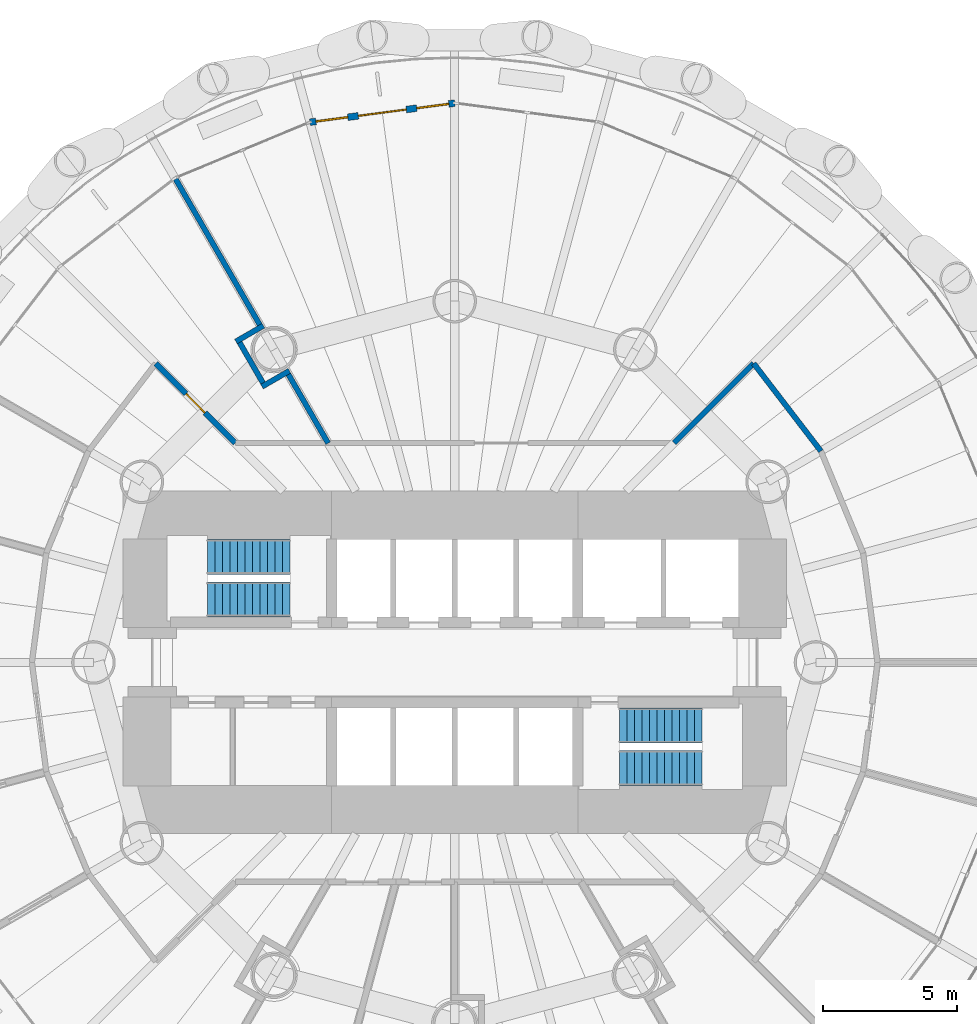
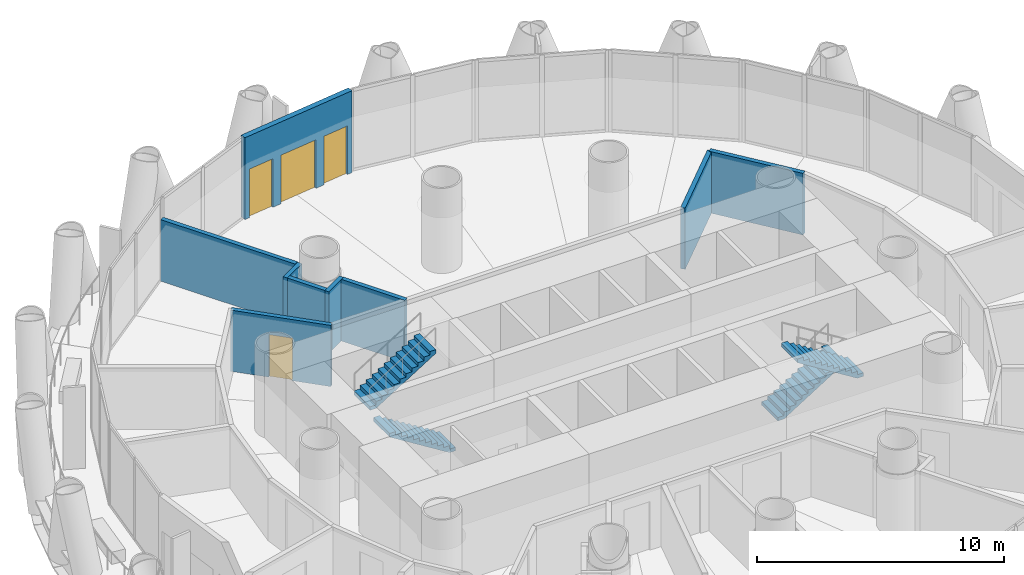
# One storey, part 12 of 15: 9 walls, 4 stair flights, 2 doors, 2 windows, 4 openings, 2 elements without a shape of their own.
"""IFC4 building model written with IfcOpenShell, lengths in metres."""

import ifcopenshell
import ifcopenshell.guid

model = None  # the IFC model being written
_history = None  # IfcOwnerHistory: only IFC2X3 demands one
_inside = {}  # id of a spatial element -> (the spatial element, [elements in it])
_under = {}  # id of a project, library or spatial element -> (it, [spatial elements below it])
_declared = {}  # id of a project -> (the project, [libraries it declares])
_typed = {}  # id of a type object -> (the type object, [elements of that type])
_made_of = {}  # id of a material, layer set ... -> (it, [elements and type objects made of it])


def new_model(schema):
    """Start an empty IFC model of exactly this schema.

    Asked for "IFC4X3", IfcOpenShell would pick the latest addendum, in which some entities
    have other attributes; the version numbers below select the first issue.
    IFC2X3 requires an IfcOwnerHistory on every rooted entity: one is made here for all.
    """
    global model, _history
    if schema == "IFC4X3":
        model = ifcopenshell.file(schema_version=(4, 3, 0, 0))
    else:
        model = ifcopenshell.file(schema=schema)
    _inside.clear()
    _under.clear()
    _declared.clear()
    _typed.clear()
    _made_of.clear()
    _history = None
    if model.schema == "IFC2X3":
        org = make("IfcOrganization", Name="unknown")
        user = make(
            "IfcPersonAndOrganization",
            ThePerson=make("IfcPerson", FamilyName="unknown"),
            TheOrganization=org,
        )
        app = make(
            "IfcApplication",
            ApplicationDeveloper=org,
            Version="unknown",
            ApplicationFullName="unknown",
            ApplicationIdentifier="unknown",
        )
        _history = make(
            "IfcOwnerHistory",
            OwningUser=user,
            OwningApplication=app,
            ChangeAction="ADDED",
            CreationDate=0,
        )
    return model


def make(cls, **values):
    """One entity of the class cls with the attributes given. An attribute that is None is left unset."""
    return model.create_entity(
        cls, **{name: value for name, value in values.items() if value is not None}
    )


def rooted(cls, **values):
    """An entity with a GlobalId (a new one), such as an element, a storey or a relation."""
    return make(cls, GlobalId=ifcopenshell.guid.new(), OwnerHistory=_history, **values)


def si_unit(unit_type, name, prefix=None):
    """IfcSIUnit, for example si_unit("LENGTHUNIT", "METRE", prefix="MILLI")."""
    return make("IfcSIUnit", UnitType=unit_type, Prefix=prefix, Name=name)


def assignment(units):
    """IfcUnitAssignment: the units of a project."""
    return None if units is None else make("IfcUnitAssignment", Units=units)


def point(xyz):
    """IfcCartesianPoint."""
    return None if xyz is None else make("IfcCartesianPoint", Coordinates=xyz)


def direction(xyz):
    """IfcDirection."""
    return None if xyz is None else make("IfcDirection", DirectionRatios=xyz)


def frame(location, z_axis=None, x_axis=None):
    """IfcAxis2Placement3D, a coordinate frame: its origin and axes. An axis left out is left unset."""
    return make(
        "IfcAxis2Placement3D",
        Location=point(location),
        Axis=direction(z_axis),
        RefDirection=direction(x_axis),
    )


def frame_2d(location, x_axis=None):
    """IfcAxis2Placement2D, a coordinate frame in the plane: its origin and x axis."""
    return make(
        "IfcAxis2Placement2D", Location=point(location), RefDirection=direction(x_axis)
    )


def origin():
    """The frame at (0, 0, 0) with its axes left unset."""
    return frame((0.0, 0.0, 0.0))


def place(relative_to, where):
    """IfcLocalPlacement: puts the frame where relative to a parent placement (None: the world)."""
    return make(
        "IfcLocalPlacement", PlacementRelTo=relative_to, RelativePlacement=where
    )


def context(
    kind, dimensions, precision=None, world=None, true_north=None, identifier=None
):
    """IfcGeometricRepresentationContext, for example the 3D "Model" context."""
    return make(
        "IfcGeometricRepresentationContext",
        ContextIdentifier=identifier,
        ContextType=kind,
        CoordinateSpaceDimension=dimensions,
        Precision=precision,
        WorldCoordinateSystem=world,
        TrueNorth=true_north,
    )


def subcontext(parent, identifier, kind, view, scale=None):
    """IfcGeometricRepresentationSubContext, for example "Body" below "Model"."""
    return make(
        "IfcGeometricRepresentationSubContext",
        ContextIdentifier=identifier,
        ContextType=kind,
        ParentContext=parent,
        TargetScale=scale,
        TargetView=view,
    )


def project(units=None, contexts=None):
    """IfcProject with its units and contexts."""
    return rooted(
        "IfcProject",
        Name="project",
        RepresentationContexts=contexts,
        UnitsInContext=assignment(units),
    )


def spatial(cls, under=None, at=None, **own):
    """A site, building, storey or space (cls), placed at a placement, below another one or the project."""
    s = rooted(cls, ObjectPlacement=at, **own)
    if under is not None:
        _under.setdefault(under.id(), (under, []))[1].append(s)
    return s


def polyline(points):
    """IfcPolyline through the points."""
    return make("IfcPolyline", Points=[point(p) for p in points])


def profile(cls, at=None, kind="AREA", **sizes):
    """A parametric profile (cls). Its sizes go by their IFC names, for example OverallWidth=200.0."""
    return make(cls, ProfileType=kind, Position=at, **sizes)


def rectangle(**sizes):
    """IfcRectangleProfileDef."""
    return profile("IfcRectangleProfileDef", **sizes)


def outline(outer, holes=None, kind="AREA"):
    """IfcArbitraryClosedProfileDef: a profile drawn as a closed curve; with holes, ...WithVoids."""
    if holes is None:
        return make("IfcArbitraryClosedProfileDef", ProfileType=kind, OuterCurve=outer)
    return make(
        "IfcArbitraryProfileDefWithVoids",
        ProfileType=kind,
        OuterCurve=outer,
        InnerCurves=holes,
    )


def extrude(swept, where, along, depth):
    """IfcExtrudedAreaSolid: the profile swept, set in the frame where, extruded along a direction by depth."""
    return make(
        "IfcExtrudedAreaSolid",
        SweptArea=swept,
        Position=where,
        ExtrudedDirection=direction(along),
        Depth=depth,
    )


def shape(context_of_items, identifier, shape_type, items):
    """IfcShapeRepresentation: the items that make up one representation, for example the "Body"."""
    return make(
        "IfcShapeRepresentation",
        ContextOfItems=context_of_items,
        RepresentationIdentifier=identifier,
        RepresentationType=shape_type,
        Items=items,
    )


def material(Name=None, Category=None):
    """IfcMaterial."""
    return make("IfcMaterial", Name=Name, Category=Category)


def layer(
    of_material, thickness, ventilated=None, Name=None, Category=None, Priority=None
):
    """IfcMaterialLayer: one layer of a wall or slab, of a material (None: an air gap)."""
    return make(
        "IfcMaterialLayer",
        Material=of_material,
        LayerThickness=thickness,
        IsVentilated=ventilated,
        Name=Name,
        Category=Category,
        Priority=Priority,
    )


def layer_set(layers, Name=None):
    """IfcMaterialLayerSet."""
    return make("IfcMaterialLayerSet", MaterialLayers=layers, LayerSetName=Name)


def made_of(thing, what):
    """Note that an element or type object is made of a material, layer set ...; save() writes the relation."""
    if what is not None:
        _made_of.setdefault(what.id(), (what, []))[1].append(thing)
    return thing


def type_object(cls, material=None, **own):
    """A type object (cls), such as IfcWallType, which elements share."""
    return made_of(rooted(cls, **own), material)


def element(
    cls,
    number,
    at=None,
    inside=None,
    cuts=None,
    type_object=None,
    material=None,
    context=None,
    identifier="Body",
    shape_type=None,
    held_by="IfcProductDefinitionShape",
    body=None,
    shapes=None,
    **own,
):
    """One element of the class cls, such as IfcWall. Its Tag is "e" and its number.

    at: its placement. inside: the storey or other place that contains it. cuts: it is an
    opening in that element (IfcRelVoidsElement). A single representation is given by context,
    identifier, shape_type and body (its items); several are given by shapes. held_by: the class
    of the entity that holds the representations. save() writes the other relations.
    """
    e = rooted(cls, Tag="e%d" % number, ObjectPlacement=at, **own)
    if body is not None:
        shapes = [shape(context, identifier, shape_type, body)]
    if shapes is not None:
        e.Representation = make(held_by, Representations=shapes)
    if inside is not None:
        _inside.setdefault(inside.id(), (inside, []))[1].append(e)
    if cuts is not None:
        rooted(
            "IfcRelVoidsElement", RelatingBuildingElement=cuts, RelatedOpeningElement=e
        )
    if type_object is not None:
        _typed.setdefault(type_object.id(), (type_object, []))[1].append(e)
    return made_of(e, material)


def fill(opening, filler):
    """IfcRelFillsElement: the door or window that sits in an opening."""
    return rooted(
        "IfcRelFillsElement",
        RelatingOpeningElement=opening,
        RelatedBuildingElement=filler,
    )


def aggregate(whole, parts):
    """IfcRelAggregates: a whole, such as a stair, and the parts it consists of."""
    return rooted("IfcRelAggregates", RelatingObject=whole, RelatedObjects=parts)


def save(model, path):
    """Write the relations noted so far, then the file.

    IfcRelAggregates (storeys below a building ...), IfcRelContainedInSpatialStructure (elements
    in a storey), IfcRelDefinesByType, IfcRelAssociatesMaterial and IfcRelDeclares: one each for
    every whole, place, type object, material and project.
    """
    for whole, parts in _under.values():
        aggregate(whole, parts)
    for where, things in _inside.values():
        rooted(
            "IfcRelContainedInSpatialStructure",
            RelatedElements=things,
            RelatingStructure=where,
        )
    for kind, things in _typed.values():
        rooted("IfcRelDefinesByType", RelatedObjects=things, RelatingType=kind)
    for what, things in _made_of.values():
        rooted("IfcRelAssociatesMaterial", RelatedObjects=things, RelatingMaterial=what)
    for by, libraries in _declared.values():
        rooted("IfcRelDeclares", RelatingContext=by, RelatedDefinitions=libraries)
    model.write(path)


model = new_model("IFC4")

# Units and contexts
model_context = context("Model", 3, precision=1e-05, world=origin(), true_north=direction((0.0, 1.0)))
body_context = subcontext(model_context, "Body", "Model", "MODEL_VIEW")
ifc_project = project(units=[si_unit("LENGTHUNIT", "METRE"), si_unit("AREAUNIT", "SQUARE_METRE"), si_unit("VOLUMEUNIT", "CUBIC_METRE"), si_unit("PLANEANGLEUNIT", "RADIAN"), si_unit("MASSUNIT", "GRAM", prefix="KILO")], contexts=[model_context])

# Site, building, storey
site_placement = place(None, origin())
site = spatial("IfcSite", under=ifc_project, at=site_placement, CompositionType="ELEMENT")
building_placement = place(site_placement, origin())
building = spatial("IfcBuilding", under=site, at=building_placement, Name="Qaws Media Tower", CompositionType="ELEMENT")
storey_placement = place(building_placement, frame((0.0, 0.0, 30.199951171875)))
storey = spatial("IfcBuildingStorey", under=building, at=storey_placement, Name="L05", CompositionType="ELEMENT", Elevation=30.199951171875)

# Wall, openings, door, windows
ifc_material_1 = material(Name="Precast concrete, exposed finish", Category="concrete")
ifc_layer_1 = layer(ifc_material_1, 0.25)
ifc_layer_set_1 = layer_set([ifc_layer_1], Name="Balcony door wall 250")
wall_type_1 = type_object("IfcWallType", Name="Balcony door wall 250", PredefinedType="SOLIDWALL", material=ifc_layer_set_1)
wall_1_placement = place(storey_placement, frame((60.0, 70.89990234375, 0.0), z_axis=(0.0, 0.0, 1.0), x_axis=(-0.991445002601, -0.130525119492, 0.0)))
wall_1 = element("IfcWall", 1, at=wall_1_placement, inside=storey, type_object=wall_type_1, Name="W111 EW1 balcony door wall L05-07", PredefinedType="SOLIDWALL", context=body_context, shape_type="SweptSolid", body=[
    extrude(rectangle(XDim=5.4560546875, YDim=0.25, at=frame_2d((2.72802734375, 0.0))), origin(), (0.0, 0.0, 1.0), 4.0400390625),
])
opening_1_placement = place(wall_1_placement, frame((1.827880859375, 0.0, 0.0)))
opening_1 = element("IfcOpeningElement", 2, at=opening_1_placement, cuts=wall_1, Name="Opening D7", PredefinedType="OPENING", context=body_context, shape_type="SweptSolid", body=[
    extrude(rectangle(XDim=1.800048828125, YDim=2.39990234375, at=frame_2d((0.89990234375, 1.199951171875))), frame((0.0, 0.135009765625, 0.0), z_axis=(0.0, -1.0, 0.0), x_axis=(1.0, 0.0, 0.0)), (0.0, 0.0, 1.0), 0.27001953125),
])
opening_2_placement = place(wall_1_placement, frame((0.22802734375, 0.0, 0.0)))
opening_2 = element("IfcOpeningElement", 3, at=opening_2_placement, cuts=wall_1, Name="Opening W1", PredefinedType="OPENING", context=body_context, shape_type="SweptSolid", body=[
    extrude(rectangle(XDim=1.199951171875, YDim=2.39990234375, at=frame_2d((0.60009765625, 1.199951171875))), frame((0.0, 0.135009765625, 0.0), z_axis=(0.0, -1.0, 0.0), x_axis=(1.0, 0.0, 0.0)), (0.0, 0.0, 1.0), 0.27001953125),
])
opening_3_placement = place(wall_1_placement, frame((4.028076171875, 0.0, 0.0)))
opening_3 = element("IfcOpeningElement", 4, at=opening_3_placement, cuts=wall_1, Name="Opening W1", PredefinedType="OPENING", context=body_context, shape_type="SweptSolid", body=[
    extrude(rectangle(XDim=1.199951171875, YDim=2.39990234375, at=frame_2d((0.60009765625, 1.199951171875))), frame((0.0, 0.135009765625, 0.0), z_axis=(0.0, -1.0, 0.0), x_axis=(1.0, 0.0, 0.0)), (0.0, 0.0, 1.0), 0.27001953125),
])
ifc_material_2 = material(Name="Aluminium and clear glass", Category="aluminium")
door_type_1 = type_object("IfcDoorType", Name="Balcony door pair 1800", OperationType="DOUBLE_DOOR_SLIDING", PredefinedType="DOOR", material=ifc_material_2)
door_1_placement = place(opening_1_placement, origin())
door_1 = element("IfcDoor", 5, at=door_1_placement, inside=storey, type_object=door_type_1, Name="D7 balcony door L05-07 in wall W111", OperationType="DOUBLE_DOOR_SLIDING", OverallHeight=2.39990234375, OverallWidth=1.800048828125, PredefinedType="DOOR", context=body_context, shape_type="SweptSolid", body=[
    extrude(rectangle(XDim=1.800048828125, YDim=2.39990234375, at=frame_2d((0.89990234375, 1.199951171875))), frame((0.0, 0.02490234375, 0.0), z_axis=(0.0, -1.0, 0.0), x_axis=(1.0, 0.0, 0.0)), (0.0, 0.0, 1.0), 0.050048828125),
])
fill(opening_1, door_1)
ifc_material_3 = material(Name="Aluminium and clear glass", Category="aluminium")
window_type = type_object("IfcWindowType", Name="Balcony side window 1200", PartitioningType="SINGLE_PANEL", PredefinedType="WINDOW", material=ifc_material_3)
window_1_placement = place(opening_2_placement, origin())
window_1 = element("IfcWindow", 6, at=window_1_placement, inside=storey, type_object=window_type, Name="W1 balcony side light L05-07L", OverallHeight=2.39990234375, OverallWidth=1.199951171875, PartitioningType="SINGLE_PANEL", PredefinedType="WINDOW", context=body_context, shape_type="SweptSolid", body=[
    extrude(rectangle(XDim=1.199951171875, YDim=2.39990234375, at=frame_2d((0.60009765625, 1.199951171875))), frame((0.0, 0.030029296875, 0.0), z_axis=(0.0, -1.0, 0.0), x_axis=(1.0, 0.0, 0.0)), (0.0, 0.0, 1.0), 0.06005859375),
])
fill(opening_2, window_1)
window_2_placement = place(opening_3_placement, origin())
window_2 = element("IfcWindow", 7, at=window_2_placement, inside=storey, type_object=window_type, Name="W1 balcony side light L05-07R", OverallHeight=2.39990234375, OverallWidth=1.199951171875, PartitioningType="SINGLE_PANEL", PredefinedType="WINDOW", context=body_context, shape_type="SweptSolid", body=[
    extrude(rectangle(XDim=1.199951171875, YDim=2.39990234375, at=frame_2d((0.60009765625, 1.199951171875))), frame((0.0, 0.030029296875, 0.0), z_axis=(0.0, -1.0, 0.0), x_axis=(1.0, 0.0, 0.0)), (0.0, 0.0, 1.0), 0.06005859375),
])
fill(opening_3, window_2)

# Wall, opening, door
ifc_material_4 = material(Name="Gypsum board on galvanised metal studs, acoustic double stud, deflection head", Category="gypsum")
ifc_layer_2 = layer(ifc_material_4, 0.199951171875)
ifc_layer_set_2 = layer_set([ifc_layer_2], Name="Room partition 200")
wall_type_2 = type_object("IfcWallType", Name="Room partition 200", PredefinedType="PARTITIONING", material=ifc_layer_set_2)
wall_2_placement = place(storey_placement, frame((48.82763671875, 61.17236328125, 0.0), z_axis=(0.0, 0.0, 1.0), x_axis=(0.707106781187, -0.707106781187, 0.0)))
wall_2 = element("IfcWall", 8, at=wall_2_placement, inside=storey, type_object=wall_type_2, Name="W961 IW3 partition L05", PredefinedType="PARTITIONING", context=body_context, shape_type="SweptSolid", body=[
    extrude(rectangle(XDim=4.20361328125, YDim=0.199951171875, at=frame_2d((2.101806640625, 0.0))), origin(), (0.0, 0.0, 1.0), 3.02001953125),
])
opening_4_placement = place(wall_2_placement, frame((1.601806640625, 0.0, 0.0)))
opening_4 = element("IfcOpeningElement", 9, at=opening_4_placement, cuts=wall_2, Name="Opening D5", PredefinedType="OPENING", context=body_context, shape_type="SweptSolid", body=[
    extrude(rectangle(XDim=1.0, YDim=2.10009765625, at=frame_2d((0.5, 1.050048828125))), frame((0.0, 0.10986328125, 0.0), z_axis=(0.0, -1.0, 0.0), x_axis=(1.0, 0.0, 0.0)), (0.0, 0.0, 1.0), 0.219970703125),
])
ifc_material_5 = material(Name="Timber veneered, acoustic seal", Category="wood")
door_type_2 = type_object("IfcDoorType", Name="Room door 1000", OperationType="SINGLE_SWING_LEFT", PredefinedType="DOOR", material=ifc_material_5)
door_2_placement = place(opening_4_placement, origin())
door_2 = element("IfcDoor", 10, at=door_2_placement, inside=storey, type_object=door_type_2, Name="D5 Green room door L05 in wall W961", OperationType="SINGLE_SWING_LEFT", OverallHeight=2.10009765625, OverallWidth=1.0, PredefinedType="DOOR", context=body_context, shape_type="SweptSolid", body=[
    extrude(rectangle(XDim=1.0, YDim=2.10009765625, at=frame_2d((0.5, 1.050048828125))), frame((0.0, 0.02490234375, 0.0), z_axis=(0.0, -1.0, 0.0), x_axis=(1.0, 0.0, 0.0)), (0.0, 0.0, 1.0), 0.050048828125),
])
fill(opening_4, door_2)

# Walls
wall_3_placement = place(storey_placement, frame((68.199951171875, 58.199951171875, 0.0), z_axis=(0.0, 0.0, 1.0), x_axis=(0.707106781187, 0.707106781187, 0.0)))
element("IfcWall", 11, at=wall_3_placement, inside=storey, type_object=wall_type_2, Name="W975 IW3 partition L05", PredefinedType="PARTITIONING", context=body_context, shape_type="SweptSolid", body=[
    extrude(rectangle(XDim=4.20361328125, YDim=0.199951171875, at=frame_2d((2.101806640625, 0.0))), origin(), (0.0, 0.0, 1.0), 3.02001953125),
])
wall_4_placement = place(storey_placement, frame((71.17236328125, 61.17236328125, 0.0), z_axis=(0.0, 0.0, 1.0), x_axis=(0.608714823874, -0.793389099494, 0.0)))
element("IfcWall", 12, at=wall_4_placement, inside=storey, type_object=wall_type_2, Name="W953 IW3 partition L05", PredefinedType="PARTITIONING", context=body_context, shape_type="SweptSolid", body=[
    extrude(rectangle(XDim=4.124755859375, YDim=0.199951171875, at=frame_2d((2.0625, 0.0))), origin(), (0.0, 0.0, 1.0), 3.0400390625),
])
for number, where, z_axis, x_axis, name in (
    (13, (53.822998046875, 60.898681640625, 0.0), (0.0, 0.0, 1.0), (-0.865986234303, -0.500067837396, 0.0), "W967 IW3 partition return L05"),
    (14, (52.85009765625, 62.583984375, 0.0), (0.0, 0.0, 1.0), (-0.865986234303, -0.500067837396, 0.0), "W966 IW3 partition return L05"),
):
    element("IfcWall", number, at=place(storey_placement, frame(where, z_axis=z_axis, x_axis=x_axis)), inside=storey, type_object=wall_type_2, Name=name, PredefinedType="PARTITIONING", context=body_context, shape_type="SweptSolid", body=[
        extrude(rectangle(XDim=1.182861328125, YDim=0.199951171875, at=frame_2d((0.59130859375, 0.0))), origin(), (0.0, 0.0, 1.0), 3.02001953125),
    ])
wall_5_placement = place(storey_placement, frame((52.835205078125, 60.44384765625, 0.0), z_axis=(0.0, 0.0, 1.0), x_axis=(-0.500049268192, 0.865996956912, 0.0)))
element("IfcWall", 15, at=wall_5_placement, inside=storey, type_object=wall_type_2, Name="W965 IW3 partition return L05", PredefinedType="PARTITIONING", context=body_context, shape_type="SweptSolid", body=[
    extrude(rectangle(XDim=1.745849609375, YDim=0.199951171875, at=frame_2d((0.873046875, 0.0))), origin(), (0.0, 0.0, 1.0), 3.02001953125),
])
wall_6_placement = place(storey_placement, frame((55.27001953125, 58.192626953125, 0.0), z_axis=(0.0, 0.0, 1.0), x_axis=(-0.499962256537, 0.866047193886, 0.0)))
element("IfcWall", 16, at=wall_6_placement, inside=storey, type_object=wall_type_2, Name="W970 IW3 partition L05", PredefinedType="PARTITIONING", context=body_context, shape_type="SweptSolid", body=[
    extrude(rectangle(XDim=2.967041015625, YDim=0.199951171875, at=frame_2d((1.4833984375, 0.0))), origin(), (0.0, 0.0, 1.0), 3.0400390625),
])
wall_7_placement = place(storey_placement, frame((52.71337890625, 62.62060546875, 0.0), z_axis=(0.0, 0.0, 1.0), x_axis=(-0.499985776458, 0.866033615595, 0.0)))
element("IfcWall", 17, at=wall_7_placement, inside=storey, type_object=wall_type_2, Name="W964 IW3 partition L05", PredefinedType="PARTITIONING", context=body_context, shape_type="SweptSolid", body=[
    extrude(rectangle(XDim=6.286865234375, YDim=0.199951171875, at=frame_2d((3.1435546875, 0.0))), origin(), (0.0, 0.0, 1.0), 3.0400390625),
])

# Stair, stair flights
ifc_material_6 = material(Name="Concrete C40/50", Category="concrete")
stair_type = type_object("IfcStairType", Name="Exit stair", PredefinedType="HALF_TURN_STAIR", material=ifc_material_6)
stair_1_placement = place(storey_placement, origin())
stair_1 = element("IfcStair", 18, at=stair_1_placement, inside=storey, type_object=stair_type, Name="S1 exit stair L05", PredefinedType="HALF_TURN_STAIR")
ifc_material_7 = material(Name="Concrete C40/50", Category="concrete")
stair_flight_type = type_object("IfcStairFlightType", Name="Stair flight 1310", PredefinedType="STRAIGHT", material=ifc_material_7)
stair_flight_1_placement = place(storey_placement, frame((53.840087890625, 52.35498046875, 0.0), z_axis=(0.0, 0.0, 1.0), x_axis=(-1.0, 0.0, 0.0)))
stair_flight_1 = element("IfcStairFlight", 19, at=stair_flight_1_placement, type_object=stair_flight_type, Name="S1 flight 1", NumberOfRisers=12, NumberOfTreads=11, PredefinedType="STRAIGHT", RiserHeight=0.175, TreadLength=0.28, context=body_context, shape_type="SweptSolid", body=[
    extrude(outline(polyline([(0.0, 0.0), (0.0, 0.175048828125), (0.280029296875, 0.175048828125), (0.280029296875, 0.35009765625), (0.56005859375, 0.35009765625), (0.56005859375, 0.52490234375), (0.840087890625, 0.52490234375), (0.840087890625, 0.699951171875), (1.1201171875, 0.699951171875), (1.1201171875, 0.875), (1.39990234375, 0.875), (1.39990234375, 1.050048828125), (1.679931640625, 1.050048828125), (1.679931640625, 1.22509765625), (1.9599609375, 1.22509765625), (1.9599609375, 1.39990234375), (2.239990234375, 1.39990234375), (2.239990234375, 1.574951171875), (2.52001953125, 1.574951171875), (2.52001953125, 1.75), (2.800048828125, 1.75), (2.800048828125, 1.925048828125), (3.080078125, 1.925048828125), (3.080078125, 2.10009765625), (3.080078125, 1.748291015625), (0.28271484375, 0.0), (0.0, 0.0)])), frame((0.0, 0.655029296875, 0.0), z_axis=(0.0, -1.0, 0.0), x_axis=(1.0, 0.0, 0.0)), (0.0, 0.0, 1.0), 1.31005859375),
])
stair_flight_2_placement = place(storey_placement, frame((50.760009765625, 53.945068359375, 2.10009765625), z_axis=(0.0, 0.0, 1.0), x_axis=(1.0, 0.0, 0.0)))
stair_flight_2 = element("IfcStairFlight", 20, at=stair_flight_2_placement, type_object=stair_flight_type, Name="S1 flight 2", NumberOfRisers=12, NumberOfTreads=11, PredefinedType="STRAIGHT", RiserHeight=0.175, TreadLength=0.28, context=body_context, shape_type="SweptSolid", body=[
    extrude(outline(polyline([(0.0, 0.0), (0.0, 0.175048828125), (0.280029296875, 0.175048828125), (0.280029296875, 0.35009765625), (0.56005859375, 0.35009765625), (0.56005859375, 0.52490234375), (0.840087890625, 0.52490234375), (0.840087890625, 0.699951171875), (1.1201171875, 0.699951171875), (1.1201171875, 0.875), (1.39990234375, 0.875), (1.39990234375, 1.050048828125), (1.679931640625, 1.050048828125), (1.679931640625, 1.22509765625), (1.9599609375, 1.22509765625), (1.9599609375, 1.39990234375), (2.239990234375, 1.39990234375), (2.239990234375, 1.574951171875), (2.52001953125, 1.574951171875), (2.52001953125, 1.75), (2.800048828125, 1.75), (2.800048828125, 1.925048828125), (3.080078125, 1.925048828125), (3.080078125, 2.10009765625), (3.080078125, 1.748291015625), (0.28271484375, 0.0), (0.0, 0.0)])), frame((0.0, 0.655029296875, 0.0), z_axis=(0.0, -1.0, 0.0), x_axis=(1.0, 0.0, 0.0)), (0.0, 0.0, 1.0), 1.31005859375),
])
aggregate(stair_1, [stair_flight_1, stair_flight_2])

stair_2_placement = place(storey_placement, origin())
stair_2 = element("IfcStair", 21, at=stair_2_placement, inside=storey, type_object=stair_type, Name="S2 exit stair L05", PredefinedType="HALF_TURN_STAIR")
stair_flight_3_placement = place(storey_placement, frame((66.159912109375, 47.64501953125, 0.0), z_axis=(0.0, 0.0, 1.0), x_axis=(1.0, 0.0, 0.0)))
stair_flight_3 = element("IfcStairFlight", 22, at=stair_flight_3_placement, type_object=stair_flight_type, Name="S2 flight 1", NumberOfRisers=12, NumberOfTreads=11, PredefinedType="STRAIGHT", RiserHeight=0.175, TreadLength=0.28, context=body_context, shape_type="SweptSolid", body=[
    extrude(outline(polyline([(0.0, 0.0), (0.0, 0.175048828125), (0.280029296875, 0.175048828125), (0.280029296875, 0.35009765625), (0.56005859375, 0.35009765625), (0.56005859375, 0.52490234375), (0.840087890625, 0.52490234375), (0.840087890625, 0.699951171875), (1.1201171875, 0.699951171875), (1.1201171875, 0.875), (1.39990234375, 0.875), (1.39990234375, 1.050048828125), (1.679931640625, 1.050048828125), (1.679931640625, 1.22509765625), (1.9599609375, 1.22509765625), (1.9599609375, 1.39990234375), (2.239990234375, 1.39990234375), (2.239990234375, 1.574951171875), (2.52001953125, 1.574951171875), (2.52001953125, 1.75), (2.800048828125, 1.75), (2.800048828125, 1.925048828125), (3.080078125, 1.925048828125), (3.080078125, 2.10009765625), (3.080078125, 1.748291015625), (0.28271484375, 0.0), (0.0, 0.0)])), frame((0.0, 0.655029296875, 0.0), z_axis=(0.0, -1.0, 0.0), x_axis=(1.0, 0.0, 0.0)), (0.0, 0.0, 1.0), 1.31005859375),
])
stair_flight_4_placement = place(storey_placement, frame((69.239990234375, 46.054931640625, 2.10009765625), z_axis=(0.0, 0.0, 1.0), x_axis=(-1.0, 0.0, 0.0)))
stair_flight_4 = element("IfcStairFlight", 23, at=stair_flight_4_placement, type_object=stair_flight_type, Name="S2 flight 2", NumberOfRisers=12, NumberOfTreads=11, PredefinedType="STRAIGHT", RiserHeight=0.175, TreadLength=0.28, context=body_context, shape_type="SweptSolid", body=[
    extrude(outline(polyline([(0.0, 0.0), (0.0, 0.175048828125), (0.280029296875, 0.175048828125), (0.280029296875, 0.35009765625), (0.56005859375, 0.35009765625), (0.56005859375, 0.52490234375), (0.840087890625, 0.52490234375), (0.840087890625, 0.699951171875), (1.1201171875, 0.699951171875), (1.1201171875, 0.875), (1.39990234375, 0.875), (1.39990234375, 1.050048828125), (1.679931640625, 1.050048828125), (1.679931640625, 1.22509765625), (1.9599609375, 1.22509765625), (1.9599609375, 1.39990234375), (2.239990234375, 1.39990234375), (2.239990234375, 1.574951171875), (2.52001953125, 1.574951171875), (2.52001953125, 1.75), (2.800048828125, 1.75), (2.800048828125, 1.925048828125), (3.080078125, 1.925048828125), (3.080078125, 2.10009765625), (3.080078125, 1.748291015625), (0.28271484375, 0.0), (0.0, 0.0)])), frame((0.0, 0.655029296875, 0.0), z_axis=(0.0, -1.0, 0.0), x_axis=(1.0, 0.0, 0.0)), (0.0, 0.0, 1.0), 1.31005859375),
])
aggregate(stair_2, [stair_flight_3, stair_flight_4])

save(model, "model.ifc")
